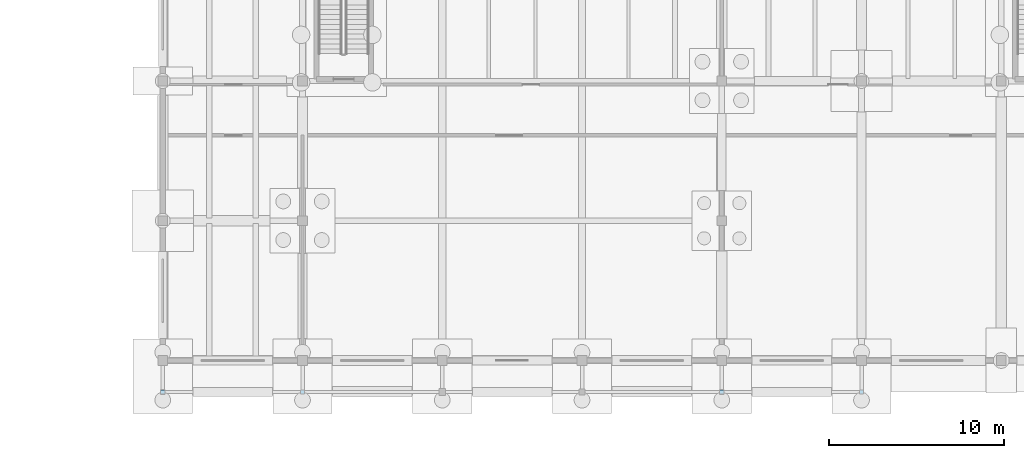
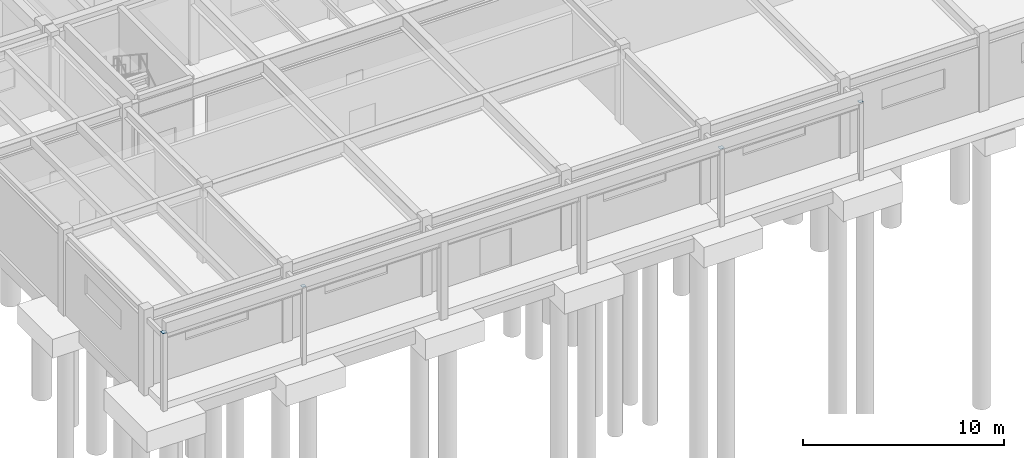
# One storey, part 32 of 64: 4 plates.
"""IFC4 building model written with IfcOpenShell, lengths in metres."""

from ifc_helpers import new_model, si_unit, direction, frame, origin, origin_2d, place, context, subcontext, project, spatial, rectangle, extrude, material, layer, layer_set, type_object, element, save


model = new_model("IFC4")

# Units and contexts
model_context = context("Model", 3, precision=1e-05, world=origin(), true_north=direction((0.0, 1.0)))
body_context = subcontext(model_context, "Body", "Model", "MODEL_VIEW")
ifc_project = project(units=[si_unit("LENGTHUNIT", "METRE"), si_unit("AREAUNIT", "SQUARE_METRE"), si_unit("VOLUMEUNIT", "CUBIC_METRE"), si_unit("PLANEANGLEUNIT", "RADIAN"), si_unit("MASSUNIT", "GRAM", prefix="KILO")], contexts=[model_context])

# Site, building, storey
site_placement = place(None, origin())
site = spatial("IfcSite", under=ifc_project, at=site_placement, CompositionType="ELEMENT")
building_placement = place(site_placement, origin())
building = spatial("IfcBuilding", under=site, at=building_placement, Name="Tlaxcora Railside Police Headquarters", CompositionType="ELEMENT")
storey_placement = place(building_placement, origin())
storey = spatial("IfcBuildingStorey", under=building, at=storey_placement, Name="L00", CompositionType="ELEMENT", Elevation=0.0)

# Plates
ifc_material = material(Name="Steel ASTM A992 Grade 50", Category="steel")
ifc_layer = layer(ifc_material, 0.02490234375, Name="Steel ASTM A992 Grade 50")
ifc_layer_set = layer_set([ifc_layer], Name="Steel ASTM A992 Grade 50")
plate_type = type_object("IfcPlateType", Name="Structural Gusset or Cap Plate GP-22", PredefinedType="USERDEFINED", material=ifc_layer_set)
plate_1_placement = place(storey_placement, frame((102.800048828125, 10.199951171875, 4.300048828125), z_axis=(0.0, 0.0, 1.0), x_axis=(1.0, 0.0, 0.0)))
element("IfcPlate", 1, at=plate_1_placement, inside=storey, type_object=plate_type, Name="Forecourt pilaster seal cap plate 7", ObjectType="GUSSET PLATE", PredefinedType="USERDEFINED", context=body_context, shape_type="SweptSolid", body=[
    extrude(rectangle(XDim=0.25, YDim=0.25, at=origin_2d()), origin(), (0.0, 0.0, 1.0), 0.02001953125),
])
plate_2_placement = place(storey_placement, frame((110.800048828125, 10.199951171875, 4.300048828125), z_axis=(0.0, 0.0, 1.0), x_axis=(1.0, 0.0, 0.0)))
element("IfcPlate", 2, at=plate_2_placement, inside=storey, type_object=plate_type, Name="Forecourt pilaster seal cap plate 8", ObjectType="GUSSET PLATE", PredefinedType="USERDEFINED", context=body_context, shape_type="SweptSolid", body=[
    extrude(rectangle(XDim=0.219970703125, YDim=0.219970703125, at=origin_2d()), origin(), (0.0, 0.0, 1.0), 0.02001953125),
])
plate_3_placement = place(storey_placement, frame((134.800048828125, 10.199951171875, 4.300048828125), z_axis=(0.0, 0.0, 1.0), x_axis=(1.0, 0.0, 0.0)))
element("IfcPlate", 3, at=plate_3_placement, inside=storey, type_object=plate_type, Name="Forecourt pilaster seal cap plate 11", ObjectType="GUSSET PLATE", PredefinedType="USERDEFINED", context=body_context, shape_type="SweptSolid", body=[
    extrude(rectangle(XDim=0.25, YDim=0.25, at=origin_2d()), origin(), (0.0, 0.0, 1.0), 0.02001953125),
])
plate_4_placement = place(storey_placement, frame((142.800048828125, 10.199951171875, 4.300048828125), z_axis=(0.0, 0.0, 1.0), x_axis=(1.0, 0.0, 0.0)))
element("IfcPlate", 4, at=plate_4_placement, inside=storey, type_object=plate_type, Name="Forecourt pilaster seal cap plate 12", ObjectType="GUSSET PLATE", PredefinedType="USERDEFINED", context=body_context, shape_type="SweptSolid", body=[
    extrude(rectangle(XDim=0.219970703125, YDim=0.219970703125, at=origin_2d()), origin(), (0.0, 0.0, 1.0), 0.02001953125),
])

save(model, "model.ifc")
